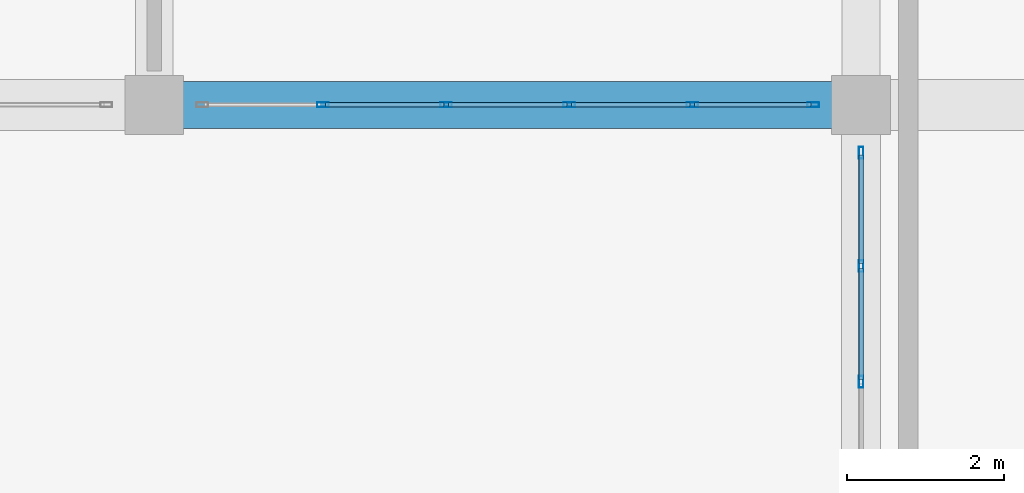
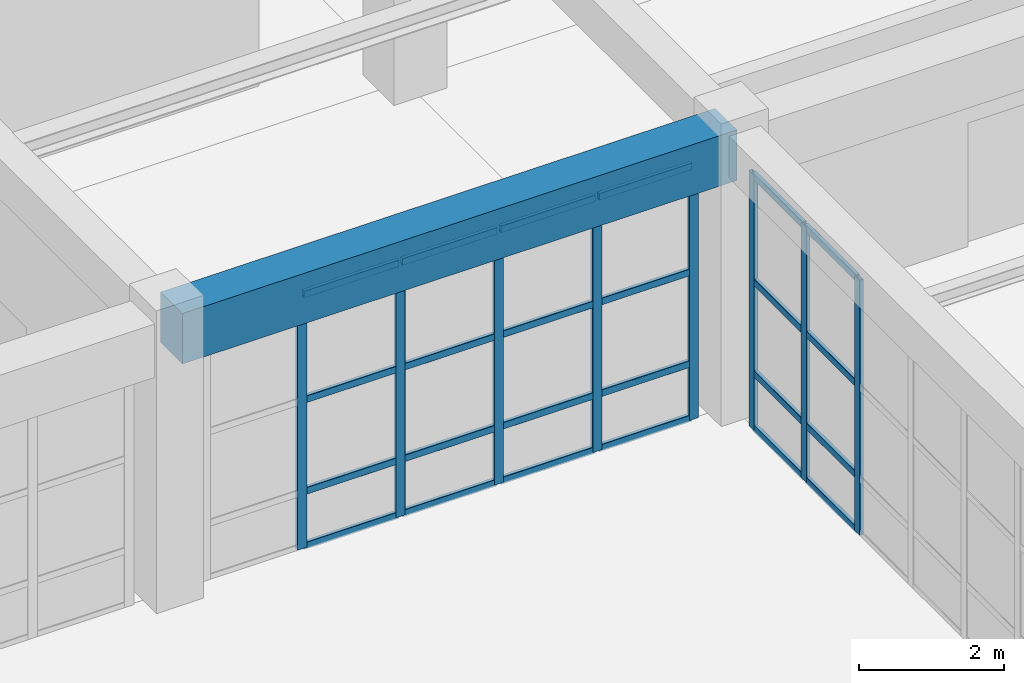
# One storey, part 37 of 128: 32 members, 1 beam, 2 elements without a shape of their own.
"""IFC4 building model written with IfcOpenShell, lengths in metres."""

from ifc_helpers import new_model, si_unit, direction, frame, origin, origin_2d, place, context, subcontext, project, spatial, rectangle, hollow_rectangle, extrude, material, material_profile, profile_set, type_object, element, aggregate, save


model = new_model("IFC4")

# Units and contexts
model_context = context("Model", 3, precision=1e-05, world=origin(), true_north=direction((0.0, 1.0)))
body_context = subcontext(model_context, "Body", "Model", "MODEL_VIEW")
ifc_project = project(units=[si_unit("LENGTHUNIT", "METRE"), si_unit("AREAUNIT", "SQUARE_METRE"), si_unit("VOLUMEUNIT", "CUBIC_METRE"), si_unit("PLANEANGLEUNIT", "RADIAN"), si_unit("MASSUNIT", "GRAM", prefix="KILO")], contexts=[model_context])

# Site, building, storey
site_placement = place(None, origin())
site = spatial("IfcSite", under=ifc_project, at=site_placement, CompositionType="ELEMENT")
building_placement = place(site_placement, origin())
building = spatial("IfcBuilding", under=site, at=building_placement, Name="Miravela Opera House", CompositionType="ELEMENT")
storey_placement = place(building_placement, origin())
storey = spatial("IfcBuildingStorey", under=building, at=storey_placement, Name="L00", CompositionType="ELEMENT", Elevation=0.0)

# Curtain wall, members
ifc_material_1 = material(Name="Anodised architectural bronze aluminium 6063-T6", Category="aluminium")
curtain_wall_type = type_object("IfcCurtainWallType", Name="ARC-CW-06", PredefinedType="NOTDEFINED", material=ifc_material_1)
curtain_wall_1_placement = place(storey_placement, origin())
curtain_wall_1 = element("IfcCurtainWall", 1, at=curtain_wall_1_placement, inside=storey, type_object=curtain_wall_type, Name="Courtyard Arcade Curtain Wall CW-L00-119", PredefinedType="NOTDEFINED")
ifc_material_profile_1 = material_profile(ifc_material_1, hollow_rectangle(XDim=0.06005859375, YDim=0.14990234375, WallThickness=0.00390625, InnerFilletRadius=0.001953125, OuterFilletRadius=0.00390625, at=origin_2d()), Name="CWM-60X150")
ifc_profile_set_1 = profile_set([ifc_material_profile_1])
member_type_1 = type_object("IfcMemberType", Name="ARC-CWM-150", PredefinedType="MULLION", material=ifc_profile_set_1)
member_1_placement = place(storey_placement, frame((56.14794921875, 28.0, 0.0), z_axis=(0.0, 0.0, 1.0), x_axis=(0.0, 1.0, 0.0)))
member_1 = element("IfcMember", 2, at=member_1_placement, type_object=member_type_1, Name="CW-06 mullion 2", PredefinedType="MULLION", context=body_context, shape_type="SweptSolid", body=[
    extrude(hollow_rectangle(XDim=0.06005859375, YDim=0.14990234375, WallThickness=0.00390625, InnerFilletRadius=0.001953125, OuterFilletRadius=0.00390625, at=origin_2d()), origin(), (0.0, 0.0, 1.0), 4.300048828125),
])
member_2_placement = place(storey_placement, frame((57.716064453125, 28.0, 0.0), z_axis=(0.0, 0.0, 1.0), x_axis=(0.0, 1.0, 0.0)))
member_2 = element("IfcMember", 3, at=member_2_placement, type_object=member_type_1, Name="CW-06 mullion 3", PredefinedType="MULLION", context=body_context, shape_type="SweptSolid", body=[
    extrude(hollow_rectangle(XDim=0.06005859375, YDim=0.14990234375, WallThickness=0.00390625, InnerFilletRadius=0.001953125, OuterFilletRadius=0.00390625, at=origin_2d()), origin(), (0.0, 0.0, 1.0), 4.300048828125),
])
member_3_placement = place(storey_placement, frame((59.283935546875, 28.0, 0.0), z_axis=(0.0, 0.0, 1.0), x_axis=(0.0, 1.0, 0.0)))
member_3 = element("IfcMember", 4, at=member_3_placement, type_object=member_type_1, Name="CW-06 mullion 4", PredefinedType="MULLION", context=body_context, shape_type="SweptSolid", body=[
    extrude(hollow_rectangle(XDim=0.06005859375, YDim=0.14990234375, WallThickness=0.00390625, InnerFilletRadius=0.001953125, OuterFilletRadius=0.00390625, at=origin_2d()), origin(), (0.0, 0.0, 1.0), 4.300048828125),
])
member_4_placement = place(storey_placement, frame((60.85205078125, 28.0, 0.0), z_axis=(0.0, 0.0, 1.0), x_axis=(0.0, 1.0, 0.0)))
member_4 = element("IfcMember", 5, at=member_4_placement, type_object=member_type_1, Name="CW-06 mullion 5", PredefinedType="MULLION", context=body_context, shape_type="SweptSolid", body=[
    extrude(hollow_rectangle(XDim=0.06005859375, YDim=0.14990234375, WallThickness=0.00390625, InnerFilletRadius=0.001953125, OuterFilletRadius=0.00390625, at=origin_2d()), origin(), (0.0, 0.0, 1.0), 4.300048828125),
])
member_5_placement = place(storey_placement, frame((62.389892578125, 28.0, 0.0), z_axis=(0.0, 0.0, 1.0), x_axis=(0.0, 1.0, 0.0)))
member_5 = element("IfcMember", 6, at=member_5_placement, type_object=member_type_1, Name="CW-06 mullion 6", PredefinedType="MULLION", context=body_context, shape_type="SweptSolid", body=[
    extrude(hollow_rectangle(XDim=0.06005859375, YDim=0.14990234375, WallThickness=0.00390625, InnerFilletRadius=0.001953125, OuterFilletRadius=0.00390625, at=origin_2d()), origin(), (0.0, 0.0, 1.0), 4.300048828125),
])

curtain_wall_2_placement = place(storey_placement, origin())
curtain_wall_2 = element("IfcCurtainWall", 7, at=curtain_wall_2_placement, inside=storey, type_object=curtain_wall_type, Name="Courtyard Arcade Curtain Wall CW-L00-123", PredefinedType="NOTDEFINED")
member_6_placement = place(storey_placement, frame((63.0, 24.473388671875, 0.0), z_axis=(0.0, 0.0, 1.0), x_axis=(-1.0, 0.0, 0.0)))
member_6 = element("IfcMember", 8, at=member_6_placement, type_object=member_type_1, Name="CW-06 mullion 5", PredefinedType="MULLION", context=body_context, shape_type="SweptSolid", body=[
    extrude(hollow_rectangle(XDim=0.06005859375, YDim=0.14990234375, WallThickness=0.00390625, InnerFilletRadius=0.001953125, OuterFilletRadius=0.00390625, at=origin_2d()), origin(), (0.0, 0.0, 1.0), 4.300048828125),
])
member_7_placement = place(storey_placement, frame((63.0, 25.94677734375, 0.0), z_axis=(0.0, 0.0, 1.0), x_axis=(-1.0, 0.0, 0.0)))
member_7 = element("IfcMember", 9, at=member_7_placement, type_object=member_type_1, Name="CW-06 mullion 6", PredefinedType="MULLION", context=body_context, shape_type="SweptSolid", body=[
    extrude(hollow_rectangle(XDim=0.06005859375, YDim=0.14990234375, WallThickness=0.00390625, InnerFilletRadius=0.001953125, OuterFilletRadius=0.00390625, at=origin_2d()), origin(), (0.0, 0.0, 1.0), 4.300048828125),
])
member_8_placement = place(storey_placement, frame((63.0, 27.389892578125, 0.0), z_axis=(0.0, 0.0, 1.0), x_axis=(-1.0, 0.0, 0.0)))
member_8 = element("IfcMember", 10, at=member_8_placement, type_object=member_type_1, Name="CW-06 mullion 7", PredefinedType="MULLION", context=body_context, shape_type="SweptSolid", body=[
    extrude(hollow_rectangle(XDim=0.06005859375, YDim=0.14990234375, WallThickness=0.00390625, InnerFilletRadius=0.001953125, OuterFilletRadius=0.00390625, at=origin_2d()), origin(), (0.0, 0.0, 1.0), 4.300048828125),
])

# Member
ifc_material_profile_2 = material_profile(ifc_material_1, hollow_rectangle(XDim=0.06005859375, YDim=0.114990234375, WallThickness=0.00390625, InnerFilletRadius=0.001953125, OuterFilletRadius=0.00390625, at=origin_2d()), Name="CWT-60X115")
ifc_profile_set_2 = profile_set([ifc_material_profile_2])
member_type_2 = type_object("IfcMemberType", Name="ARC-CWT-115", PredefinedType="USERDEFINED", material=ifc_profile_set_2)
member_9_placement = place(storey_placement, frame((56.177978515625, 28.0, 0.030029296875), z_axis=(1.0, 0.0, 0.0), x_axis=(0.0, 1.0, 0.0)))
member_9 = element("IfcMember", 11, at=member_9_placement, type_object=member_type_2, Name="CW-06 transom 2.1", ObjectType="TRANSOM", PredefinedType="USERDEFINED", context=body_context, shape_type="SweptSolid", body=[
    extrude(hollow_rectangle(XDim=0.06005859375, YDim=0.114990234375, WallThickness=0.00390625, InnerFilletRadius=0.001953125, OuterFilletRadius=0.00390625, at=origin_2d()), origin(), (0.0, 0.0, 1.0), 1.508056640625),
])

member_10_placement = place(storey_placement, frame((56.177978515625, 28.0, 0.949951171875), z_axis=(1.0, 0.0, 0.0), x_axis=(0.0, 1.0, 0.0)))
member_10 = element("IfcMember", 12, at=member_10_placement, type_object=member_type_2, Name="CW-06 transom 2.2", ObjectType="TRANSOM", PredefinedType="USERDEFINED", context=body_context, shape_type="SweptSolid", body=[
    extrude(hollow_rectangle(XDim=0.06005859375, YDim=0.114990234375, WallThickness=0.00390625, InnerFilletRadius=0.001953125, OuterFilletRadius=0.00390625, at=origin_2d()), origin(), (0.0, 0.0, 1.0), 1.508056640625),
])

member_11_placement = place(storey_placement, frame((56.177978515625, 28.0, 2.493896484375), z_axis=(1.0, 0.0, 0.0), x_axis=(0.0, 1.0, 0.0)))
member_11 = element("IfcMember", 13, at=member_11_placement, type_object=member_type_2, Name="CW-06 transom 2.3", ObjectType="TRANSOM", PredefinedType="USERDEFINED", context=body_context, shape_type="SweptSolid", body=[
    extrude(hollow_rectangle(XDim=0.06005859375, YDim=0.114990234375, WallThickness=0.00390625, InnerFilletRadius=0.001953125, OuterFilletRadius=0.00390625, at=origin_2d()), origin(), (0.0, 0.0, 1.0), 1.508056640625),
])

member_12_placement = place(storey_placement, frame((56.177978515625, 28.0, 4.27001953125), z_axis=(1.0, 0.0, 0.0), x_axis=(0.0, 1.0, 0.0)))
member_12 = element("IfcMember", 14, at=member_12_placement, type_object=member_type_2, Name="CW-06 transom 2.4", ObjectType="TRANSOM", PredefinedType="USERDEFINED", context=body_context, shape_type="SweptSolid", body=[
    extrude(hollow_rectangle(XDim=0.06005859375, YDim=0.114990234375, WallThickness=0.00390625, InnerFilletRadius=0.001953125, OuterFilletRadius=0.00390625, at=origin_2d()), origin(), (0.0, 0.0, 1.0), 1.508056640625),
])

member_13_placement = place(storey_placement, frame((57.74609375, 28.0, 0.030029296875), z_axis=(1.0, 0.0, 0.0), x_axis=(0.0, 1.0, 0.0)))
member_13 = element("IfcMember", 15, at=member_13_placement, type_object=member_type_2, Name="CW-06 transom 3.1", ObjectType="TRANSOM", PredefinedType="USERDEFINED", context=body_context, shape_type="SweptSolid", body=[
    extrude(hollow_rectangle(XDim=0.06005859375, YDim=0.114990234375, WallThickness=0.00390625, InnerFilletRadius=0.001953125, OuterFilletRadius=0.00390625, at=origin_2d()), origin(), (0.0, 0.0, 1.0), 1.5078125),
])

member_14_placement = place(storey_placement, frame((57.74609375, 28.0, 0.949951171875), z_axis=(1.0, 0.0, 0.0), x_axis=(0.0, 1.0, 0.0)))
member_14 = element("IfcMember", 16, at=member_14_placement, type_object=member_type_2, Name="CW-06 transom 3.2", ObjectType="TRANSOM", PredefinedType="USERDEFINED", context=body_context, shape_type="SweptSolid", body=[
    extrude(hollow_rectangle(XDim=0.06005859375, YDim=0.114990234375, WallThickness=0.00390625, InnerFilletRadius=0.001953125, OuterFilletRadius=0.00390625, at=origin_2d()), origin(), (0.0, 0.0, 1.0), 1.5078125),
])

member_15_placement = place(storey_placement, frame((57.74609375, 28.0, 2.493896484375), z_axis=(1.0, 0.0, 0.0), x_axis=(0.0, 1.0, 0.0)))
member_15 = element("IfcMember", 17, at=member_15_placement, type_object=member_type_2, Name="CW-06 transom 3.3", ObjectType="TRANSOM", PredefinedType="USERDEFINED", context=body_context, shape_type="SweptSolid", body=[
    extrude(hollow_rectangle(XDim=0.06005859375, YDim=0.114990234375, WallThickness=0.00390625, InnerFilletRadius=0.001953125, OuterFilletRadius=0.00390625, at=origin_2d()), origin(), (0.0, 0.0, 1.0), 1.5078125),
])

member_16_placement = place(storey_placement, frame((57.74609375, 28.0, 4.27001953125), z_axis=(1.0, 0.0, 0.0), x_axis=(0.0, 1.0, 0.0)))
member_16 = element("IfcMember", 18, at=member_16_placement, type_object=member_type_2, Name="CW-06 transom 3.4", ObjectType="TRANSOM", PredefinedType="USERDEFINED", context=body_context, shape_type="SweptSolid", body=[
    extrude(hollow_rectangle(XDim=0.06005859375, YDim=0.114990234375, WallThickness=0.00390625, InnerFilletRadius=0.001953125, OuterFilletRadius=0.00390625, at=origin_2d()), origin(), (0.0, 0.0, 1.0), 1.5078125),
])

member_17_placement = place(storey_placement, frame((59.31396484375, 28.0, 0.030029296875), z_axis=(1.0, 0.0, 0.0), x_axis=(0.0, 1.0, 0.0)))
member_17 = element("IfcMember", 19, at=member_17_placement, type_object=member_type_2, Name="CW-06 transom 4.1", ObjectType="TRANSOM", PredefinedType="USERDEFINED", context=body_context, shape_type="SweptSolid", body=[
    extrude(hollow_rectangle(XDim=0.06005859375, YDim=0.114990234375, WallThickness=0.00390625, InnerFilletRadius=0.001953125, OuterFilletRadius=0.00390625, at=origin_2d()), origin(), (0.0, 0.0, 1.0), 1.508056640625),
])

member_18_placement = place(storey_placement, frame((59.31396484375, 28.0, 0.949951171875), z_axis=(1.0, 0.0, 0.0), x_axis=(0.0, 1.0, 0.0)))
member_18 = element("IfcMember", 20, at=member_18_placement, type_object=member_type_2, Name="CW-06 transom 4.2", ObjectType="TRANSOM", PredefinedType="USERDEFINED", context=body_context, shape_type="SweptSolid", body=[
    extrude(hollow_rectangle(XDim=0.06005859375, YDim=0.114990234375, WallThickness=0.00390625, InnerFilletRadius=0.001953125, OuterFilletRadius=0.00390625, at=origin_2d()), origin(), (0.0, 0.0, 1.0), 1.508056640625),
])

member_19_placement = place(storey_placement, frame((59.31396484375, 28.0, 2.493896484375), z_axis=(1.0, 0.0, 0.0), x_axis=(0.0, 1.0, 0.0)))
member_19 = element("IfcMember", 21, at=member_19_placement, type_object=member_type_2, Name="CW-06 transom 4.3", ObjectType="TRANSOM", PredefinedType="USERDEFINED", context=body_context, shape_type="SweptSolid", body=[
    extrude(hollow_rectangle(XDim=0.06005859375, YDim=0.114990234375, WallThickness=0.00390625, InnerFilletRadius=0.001953125, OuterFilletRadius=0.00390625, at=origin_2d()), origin(), (0.0, 0.0, 1.0), 1.508056640625),
])

member_20_placement = place(storey_placement, frame((59.31396484375, 28.0, 4.27001953125), z_axis=(1.0, 0.0, 0.0), x_axis=(0.0, 1.0, 0.0)))
member_20 = element("IfcMember", 22, at=member_20_placement, type_object=member_type_2, Name="CW-06 transom 4.4", ObjectType="TRANSOM", PredefinedType="USERDEFINED", context=body_context, shape_type="SweptSolid", body=[
    extrude(hollow_rectangle(XDim=0.06005859375, YDim=0.114990234375, WallThickness=0.00390625, InnerFilletRadius=0.001953125, OuterFilletRadius=0.00390625, at=origin_2d()), origin(), (0.0, 0.0, 1.0), 1.508056640625),
])

member_21_placement = place(storey_placement, frame((60.882080078125, 28.0, 0.030029296875), z_axis=(1.0, 0.0, 0.0), x_axis=(0.0, 1.0, 0.0)))
member_21 = element("IfcMember", 23, at=member_21_placement, type_object=member_type_2, Name="CW-06 transom 5.1", ObjectType="TRANSOM", PredefinedType="USERDEFINED", context=body_context, shape_type="SweptSolid", body=[
    extrude(hollow_rectangle(XDim=0.06005859375, YDim=0.114990234375, WallThickness=0.00390625, InnerFilletRadius=0.001953125, OuterFilletRadius=0.00390625, at=origin_2d()), origin(), (0.0, 0.0, 1.0), 1.47802734375),
])

member_22_placement = place(storey_placement, frame((60.882080078125, 28.0, 0.949951171875), z_axis=(1.0, 0.0, 0.0), x_axis=(0.0, 1.0, 0.0)))
member_22 = element("IfcMember", 24, at=member_22_placement, type_object=member_type_2, Name="CW-06 transom 5.2", ObjectType="TRANSOM", PredefinedType="USERDEFINED", context=body_context, shape_type="SweptSolid", body=[
    extrude(hollow_rectangle(XDim=0.06005859375, YDim=0.114990234375, WallThickness=0.00390625, InnerFilletRadius=0.001953125, OuterFilletRadius=0.00390625, at=origin_2d()), origin(), (0.0, 0.0, 1.0), 1.47802734375),
])

member_23_placement = place(storey_placement, frame((60.882080078125, 28.0, 2.493896484375), z_axis=(1.0, 0.0, 0.0), x_axis=(0.0, 1.0, 0.0)))
member_23 = element("IfcMember", 25, at=member_23_placement, type_object=member_type_2, Name="CW-06 transom 5.3", ObjectType="TRANSOM", PredefinedType="USERDEFINED", context=body_context, shape_type="SweptSolid", body=[
    extrude(hollow_rectangle(XDim=0.06005859375, YDim=0.114990234375, WallThickness=0.00390625, InnerFilletRadius=0.001953125, OuterFilletRadius=0.00390625, at=origin_2d()), origin(), (0.0, 0.0, 1.0), 1.47802734375),
])

member_24_placement = place(storey_placement, frame((60.882080078125, 28.0, 4.27001953125), z_axis=(1.0, 0.0, 0.0), x_axis=(0.0, 1.0, 0.0)))
member_24 = element("IfcMember", 26, at=member_24_placement, type_object=member_type_2, Name="CW-06 transom 5.4", ObjectType="TRANSOM", PredefinedType="USERDEFINED", context=body_context, shape_type="SweptSolid", body=[
    extrude(hollow_rectangle(XDim=0.06005859375, YDim=0.114990234375, WallThickness=0.00390625, InnerFilletRadius=0.001953125, OuterFilletRadius=0.00390625, at=origin_2d()), origin(), (0.0, 0.0, 1.0), 1.47802734375),
])

aggregate(curtain_wall_1, [member_1, member_2, member_3, member_4, member_5, member_9, member_10, member_11, member_12, member_13, member_14, member_15, member_16, member_17, member_18, member_19, member_20, member_21, member_22, member_23, member_24])

member_25_placement = place(storey_placement, frame((63.0, 24.50341796875, 0.030029296875), z_axis=(0.0, 1.0, 0.0), x_axis=(-1.0, 0.0, 0.0)))
member_25 = element("IfcMember", 27, at=member_25_placement, type_object=member_type_2, Name="CW-06 transom 5.1", ObjectType="TRANSOM", PredefinedType="USERDEFINED", context=body_context, shape_type="SweptSolid", body=[
    extrude(hollow_rectangle(XDim=0.06005859375, YDim=0.114990234375, WallThickness=0.00390625, InnerFilletRadius=0.001953125, OuterFilletRadius=0.00390625, at=origin_2d()), origin(), (0.0, 0.0, 1.0), 1.413330078125),
])

member_26_placement = place(storey_placement, frame((63.0, 24.50341796875, 0.949951171875), z_axis=(0.0, 1.0, 0.0), x_axis=(-1.0, 0.0, 0.0)))
member_26 = element("IfcMember", 28, at=member_26_placement, type_object=member_type_2, Name="CW-06 transom 5.2", ObjectType="TRANSOM", PredefinedType="USERDEFINED", context=body_context, shape_type="SweptSolid", body=[
    extrude(hollow_rectangle(XDim=0.06005859375, YDim=0.114990234375, WallThickness=0.00390625, InnerFilletRadius=0.001953125, OuterFilletRadius=0.00390625, at=origin_2d()), origin(), (0.0, 0.0, 1.0), 1.413330078125),
])

member_27_placement = place(storey_placement, frame((63.0, 24.50341796875, 2.493896484375), z_axis=(0.0, 1.0, 0.0), x_axis=(-1.0, 0.0, 0.0)))
member_27 = element("IfcMember", 29, at=member_27_placement, type_object=member_type_2, Name="CW-06 transom 5.3", ObjectType="TRANSOM", PredefinedType="USERDEFINED", context=body_context, shape_type="SweptSolid", body=[
    extrude(hollow_rectangle(XDim=0.06005859375, YDim=0.114990234375, WallThickness=0.00390625, InnerFilletRadius=0.001953125, OuterFilletRadius=0.00390625, at=origin_2d()), origin(), (0.0, 0.0, 1.0), 1.413330078125),
])

member_28_placement = place(storey_placement, frame((63.0, 24.50341796875, 4.27001953125), z_axis=(0.0, 1.0, 0.0), x_axis=(-1.0, 0.0, 0.0)))
member_28 = element("IfcMember", 30, at=member_28_placement, type_object=member_type_2, Name="CW-06 transom 5.4", ObjectType="TRANSOM", PredefinedType="USERDEFINED", context=body_context, shape_type="SweptSolid", body=[
    extrude(hollow_rectangle(XDim=0.06005859375, YDim=0.114990234375, WallThickness=0.00390625, InnerFilletRadius=0.001953125, OuterFilletRadius=0.00390625, at=origin_2d()), origin(), (0.0, 0.0, 1.0), 1.413330078125),
])

member_29_placement = place(storey_placement, frame((63.0, 25.9765625, 0.030029296875), z_axis=(0.0, 1.0, 0.0), x_axis=(-1.0, 0.0, 0.0)))
member_29 = element("IfcMember", 31, at=member_29_placement, type_object=member_type_2, Name="CW-06 transom 6.1", ObjectType="TRANSOM", PredefinedType="USERDEFINED", context=body_context, shape_type="SweptSolid", body=[
    extrude(hollow_rectangle(XDim=0.06005859375, YDim=0.114990234375, WallThickness=0.00390625, InnerFilletRadius=0.001953125, OuterFilletRadius=0.00390625, at=origin_2d()), origin(), (0.0, 0.0, 1.0), 1.383544921875),
])

member_30_placement = place(storey_placement, frame((63.0, 25.9765625, 0.949951171875), z_axis=(0.0, 1.0, 0.0), x_axis=(-1.0, 0.0, 0.0)))
member_30 = element("IfcMember", 32, at=member_30_placement, type_object=member_type_2, Name="CW-06 transom 6.2", ObjectType="TRANSOM", PredefinedType="USERDEFINED", context=body_context, shape_type="SweptSolid", body=[
    extrude(hollow_rectangle(XDim=0.06005859375, YDim=0.114990234375, WallThickness=0.00390625, InnerFilletRadius=0.001953125, OuterFilletRadius=0.00390625, at=origin_2d()), origin(), (0.0, 0.0, 1.0), 1.383544921875),
])

member_31_placement = place(storey_placement, frame((63.0, 25.9765625, 2.493896484375), z_axis=(0.0, 1.0, 0.0), x_axis=(-1.0, 0.0, 0.0)))
member_31 = element("IfcMember", 33, at=member_31_placement, type_object=member_type_2, Name="CW-06 transom 6.3", ObjectType="TRANSOM", PredefinedType="USERDEFINED", context=body_context, shape_type="SweptSolid", body=[
    extrude(hollow_rectangle(XDim=0.06005859375, YDim=0.114990234375, WallThickness=0.00390625, InnerFilletRadius=0.001953125, OuterFilletRadius=0.00390625, at=origin_2d()), origin(), (0.0, 0.0, 1.0), 1.383544921875),
])

member_32_placement = place(storey_placement, frame((63.0, 25.9765625, 4.27001953125), z_axis=(0.0, 1.0, 0.0), x_axis=(-1.0, 0.0, 0.0)))
member_32 = element("IfcMember", 34, at=member_32_placement, type_object=member_type_2, Name="CW-06 transom 6.4", ObjectType="TRANSOM", PredefinedType="USERDEFINED", context=body_context, shape_type="SweptSolid", body=[
    extrude(hollow_rectangle(XDim=0.06005859375, YDim=0.114990234375, WallThickness=0.00390625, InnerFilletRadius=0.001953125, OuterFilletRadius=0.00390625, at=origin_2d()), origin(), (0.0, 0.0, 1.0), 1.383544921875),
])

aggregate(curtain_wall_2, [member_6, member_7, member_8, member_25, member_26, member_27, member_28, member_29, member_30, member_31, member_32])

# Beam
ifc_material_2 = material(Name="Concrete C40/50", Category="concrete")
ifc_material_profile_3 = material_profile(ifc_material_2, rectangle(XDim=0.60009765625, YDim=0.85009765625, at=origin_2d()), Name="RC-BM-600X850")
ifc_profile_set_3 = profile_set([ifc_material_profile_3])
beam_type = type_object("IfcBeamType", Name="STR-BM-RC600X850", PredefinedType="BEAM", material=ifc_profile_set_3)
beam_placement = place(storey_placement, frame((54.080078125, 28.0, 4.425048828125), z_axis=(1.0, 0.0, 0.0), x_axis=(0.0, 1.0, 0.0)))
element("IfcBeam", 35, at=beam_placement, inside=storey, type_object=beam_type, Name="Floor Girder L00 7-8/D", PredefinedType="BEAM", context=body_context, shape_type="SweptSolid", body=[
    extrude(rectangle(XDim=0.60009765625, YDim=0.85009765625, at=origin_2d()), origin(), (0.0, 0.0, 1.0), 8.83984375),
])

save(model, "model.ifc")
